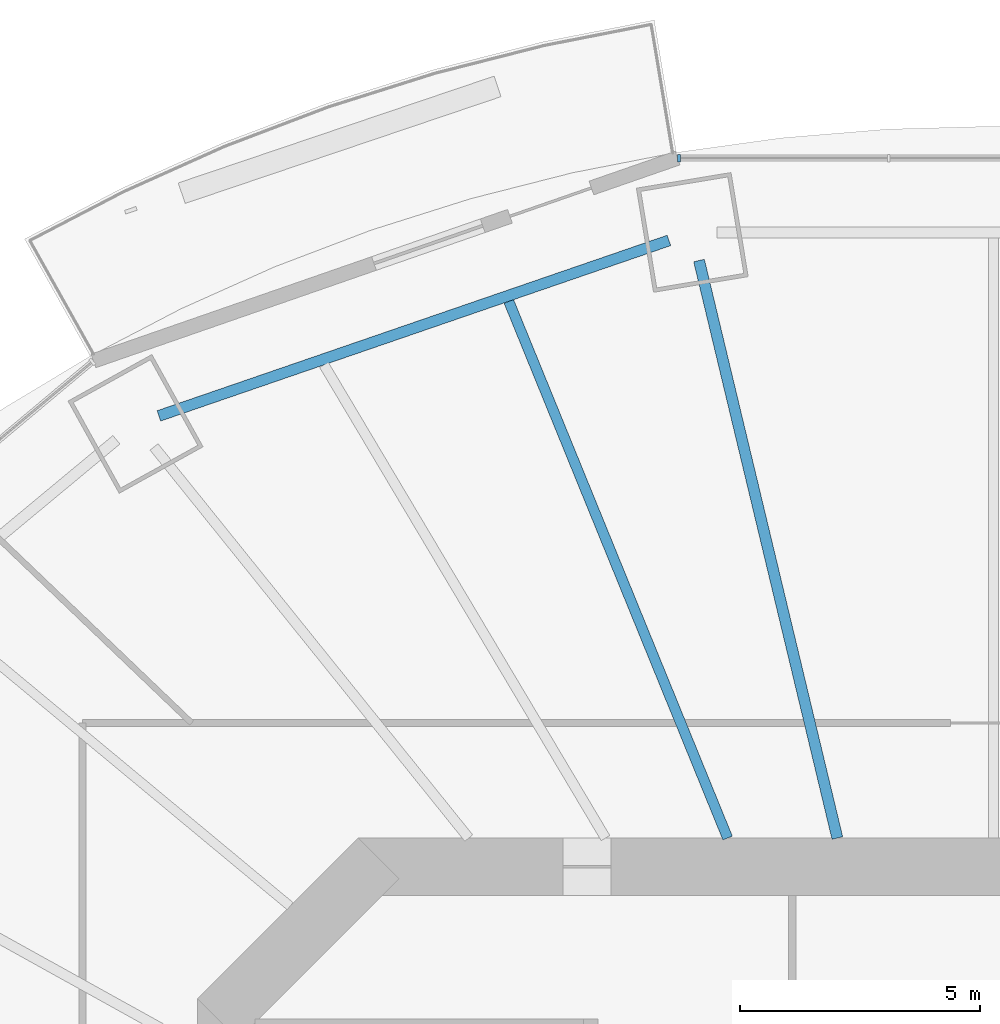
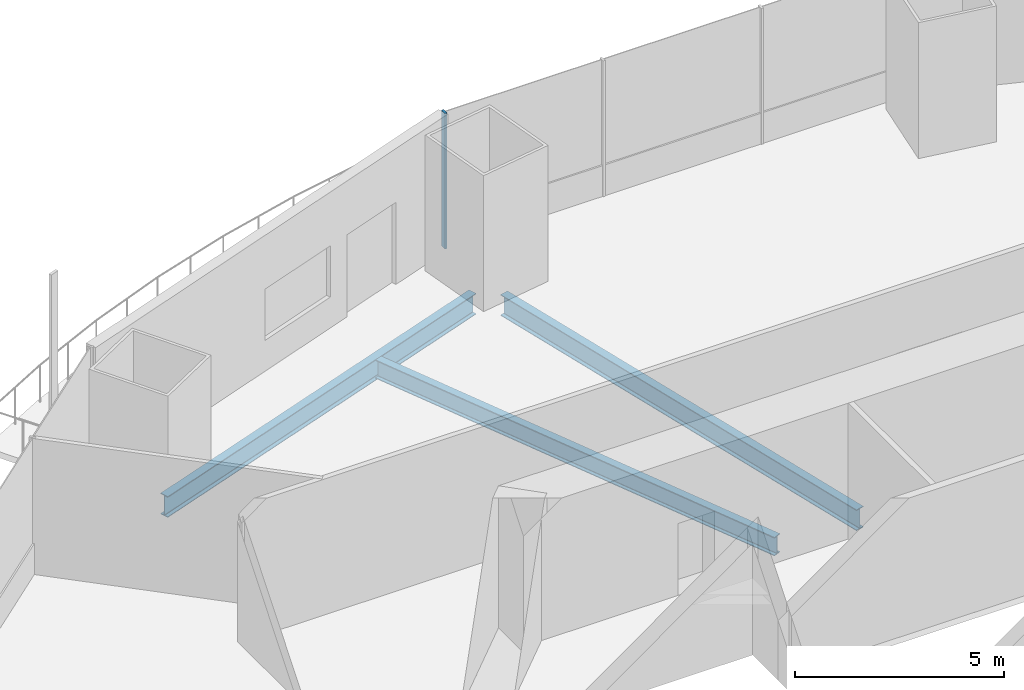
# One storey, part 7 of 21: 3 beams, 1 member, 1 element without a shape of its own.
"""IFC4 building model written with IfcOpenShell, lengths in metres."""

from ifc_helpers import new_model, si_unit, direction, frame, origin, origin_2d, place, context, subcontext, project, spatial, rectangle, i_section, extrude, material, material_profile, profile_set, type_object, element, aggregate, save


model = new_model("IFC4")

# Units and contexts
model_context = context("Model", 3, precision=1e-05, world=origin(), true_north=direction((0.0, 1.0)))
body_context = subcontext(model_context, "Body", "Model", "MODEL_VIEW")
ifc_project = project(units=[si_unit("LENGTHUNIT", "METRE"), si_unit("AREAUNIT", "SQUARE_METRE"), si_unit("VOLUMEUNIT", "CUBIC_METRE"), si_unit("PLANEANGLEUNIT", "RADIAN"), si_unit("MASSUNIT", "GRAM", prefix="KILO")], contexts=[model_context])

# Site, building, storey
site_placement = place(None, origin())
site = spatial("IfcSite", under=ifc_project, at=site_placement, CompositionType="ELEMENT")
building_placement = place(site_placement, origin())
building = spatial("IfcBuilding", under=site, at=building_placement, Name="Marenthal Gate Tower", CompositionType="ELEMENT")
storey_placement = place(building_placement, frame((0.0, 0.0, 120.14990234375)))
storey = spatial("IfcBuildingStorey", under=building, at=storey_placement, Name="L25", CompositionType="ELEMENT", Elevation=120.14990234375)

# Curtain wall, member
ifc_material_1 = material(Name="Aluminium and glass", Category="aluminium")
curtain_wall_type = type_object("IfcCurtainWallType", Name="Curtain wall typical low", PredefinedType="NOTDEFINED", material=ifc_material_1)
curtain_wall_placement = place(storey_placement, origin())
curtain_wall = element("IfcCurtainWall", 1, at=curtain_wall_placement, inside=storey, type_object=curtain_wall_type, Name="Curtain wall L25 bay 4", PredefinedType="NOTDEFINED")
ifc_material_2 = material(Name="Aluminium", Category="aluminium")
ifc_material_profile_1 = material_profile(ifc_material_2, rectangle(XDim=0.159912109375, YDim=0.06005859375, at=origin_2d()), Name="60x160 aluminium mullion")
ifc_profile_set_1 = profile_set([ifc_material_profile_1], Name="Aluminium")
member_type = type_object("IfcMemberType", Name="Mullion 60x160 typical low", PredefinedType="MULLION", material=ifc_profile_set_1)
member_placement = place(storey_placement, frame((-6.560791015625, 27.77783203125, 0.0), z_axis=(0.0, 0.0, 1.0), x_axis=(0.0, -1.0, 0.0)))
member = element("IfcMember", 2, at=member_placement, type_object=member_type, Name="Mullion L25 bay 4.4", PredefinedType="MULLION", context=body_context, shape_type="SweptSolid", body=[
    extrude(rectangle(XDim=0.159912109375, YDim=0.06005859375, at=origin_2d()), origin(), (0.0, 0.0, 1.0), 3.97021484375),
])
aggregate(curtain_wall, [member])

# Beams
ifc_material_3 = material(Name="Steel S355", Category="steel")
ifc_material_profile_2 = material_profile(ifc_material_3, i_section(OverallWidth=0.2119140625, OverallDepth=0.5439453125, WebThickness=0.01318359375, FlangeThickness=0.021240234375, FilletRadius=0.0126953125, at=origin_2d()), Name="W530X123")
ifc_profile_set_2 = profile_set([ifc_material_profile_2], Name="Steel S355")
beam_type_1 = type_object("IfcBeamType", Name="W530X123 beam", PredefinedType="BEAM", material=ifc_profile_set_2)
beam_1_placement = place(storey_placement, frame((-10.10888671875, 24.791015625, -0.451904296875), z_axis=(0.377578568114, -0.92597755097, 0.0), x_axis=(0.92597755097, 0.377578568114, 0.0)))
element("IfcBeam", 3, at=beam_1_placement, inside=storey, type_object=beam_type_1, Name="BM-L25-23", PredefinedType="BEAM", context=body_context, shape_type="SweptSolid", body=[
    extrude(i_section(OverallWidth=0.2119140625, OverallDepth=0.5439453125, WebThickness=0.01318359375, FlangeThickness=0.021240234375, FilletRadius=0.0126953125, at=origin_2d()), origin(), (0.0, 0.0, 1.0), 12.08544921875),
])
ifc_material_4 = material(Name="Steel S355", Category="steel")
ifc_material_profile_3 = material_profile(ifc_material_4, i_section(OverallWidth=0.22900390625, OverallDepth=0.612060546875, WebThickness=0.011962890625, FlangeThickness=0.01953125, FilletRadius=0.0126953125, at=origin_2d()), Name="W610X125")
ifc_profile_set_3 = profile_set([ifc_material_profile_3], Name="Steel S355")
beam_type_2 = type_object("IfcBeamType", Name="W610X125 beam", PredefinedType="BEAM", material=ifc_profile_set_3)
beam_2_placement = place(storey_placement, frame((-6.142333984375, 25.641845703125, -0.48583984375), z_axis=(0.232953092767, -0.972487972455, 0.0), x_axis=(0.972487972455, 0.232953092767, 0.0)))
element("IfcBeam", 4, at=beam_2_placement, inside=storey, type_object=beam_type_2, Name="BM-L25-05", PredefinedType="BEAM", context=body_context, shape_type="SweptSolid", body=[
    extrude(i_section(OverallWidth=0.22900390625, OverallDepth=0.612060546875, WebThickness=0.011962890625, FlangeThickness=0.01953125, FilletRadius=0.0126953125, at=origin_2d()), origin(), (0.0, 0.0, 1.0), 12.38232421875),
])
beam_3_placement = place(storey_placement, frame((-6.76904296875, 26.060791015625, -0.48583984375), z_axis=(-0.945627146872, -0.325252669626, 0.0), x_axis=(0.325252669626, -0.945627146872, 0.0)))
element("IfcBeam", 5, at=beam_3_placement, inside=storey, type_object=beam_type_2, Name="BM-L25-45", PredefinedType="BEAM", context=body_context, shape_type="SweptSolid", body=[
    extrude(i_section(OverallWidth=0.22900390625, OverallDepth=0.612060546875, WebThickness=0.011962890625, FlangeThickness=0.01953125, FilletRadius=0.0126953125, at=origin_2d()), origin(), (0.0, 0.0, 1.0), 11.24658203125),
])

save(model, "model.ifc")
